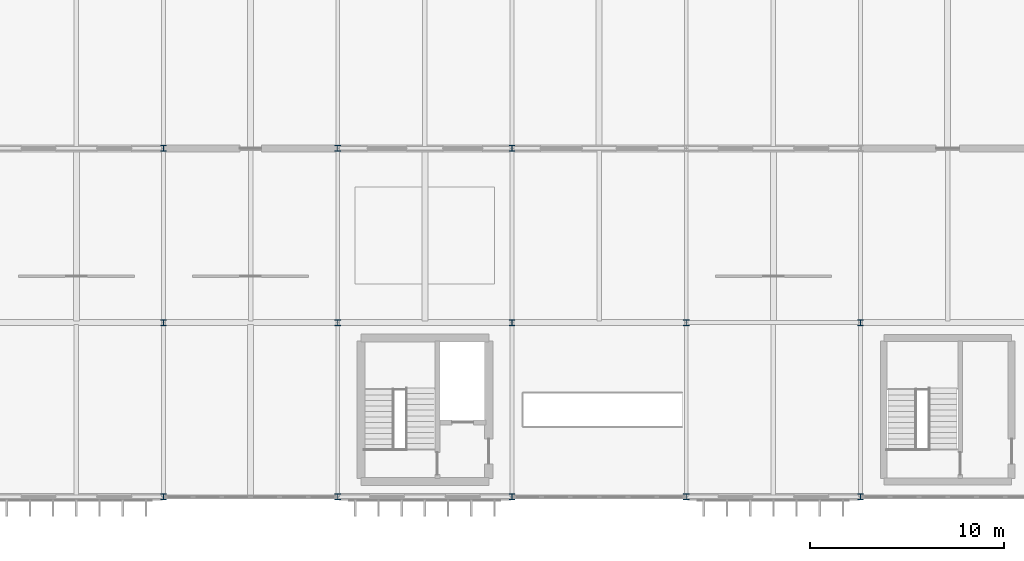
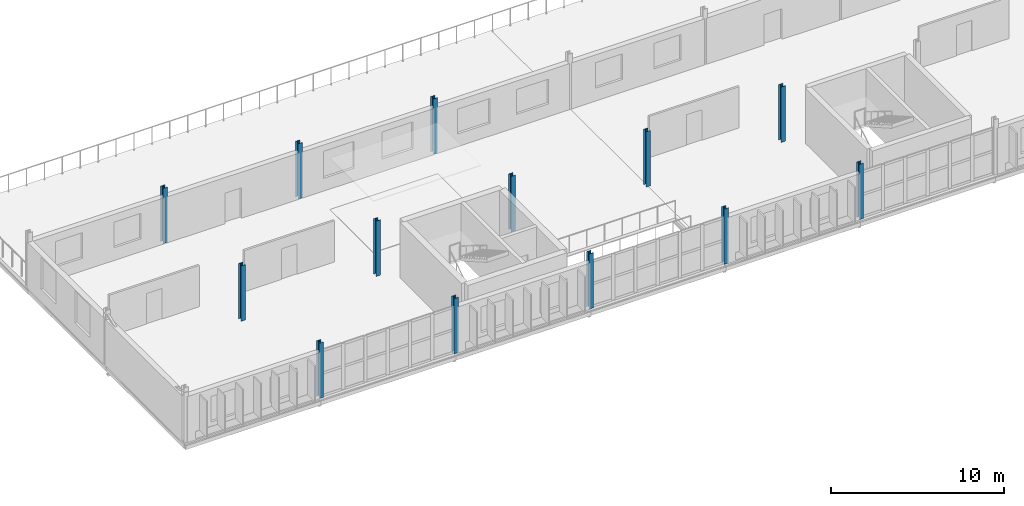
# One storey, part 15 of 123: 13 columns.
"""IFC4 building model written with IfcOpenShell, lengths in metres."""

from ifc_helpers import new_model, si_unit, direction, frame, origin, origin_2d, place, context, subcontext, project, spatial, i_section, extrude, material, material_profile, profile_set, type_object, element, save


model = new_model("IFC4")

# Units and contexts
model_context = context("Model", 3, precision=1e-05, world=origin(), true_north=direction((0.0, 1.0)))
body_context = subcontext(model_context, "Body", "Model", "MODEL_VIEW")
ifc_project = project(units=[si_unit("LENGTHUNIT", "METRE"), si_unit("AREAUNIT", "SQUARE_METRE"), si_unit("VOLUMEUNIT", "CUBIC_METRE"), si_unit("PLANEANGLEUNIT", "RADIAN"), si_unit("MASSUNIT", "GRAM", prefix="KILO")], contexts=[model_context])

# Site, building, storey
site_placement = place(None, origin())
site = spatial("IfcSite", under=ifc_project, at=site_placement, CompositionType="ELEMENT")
building_placement = place(site_placement, origin())
building = spatial("IfcBuilding", under=site, at=building_placement, Name="Kildeholm Park Wholesale Market", CompositionType="ELEMENT")
storey_placement = place(building_placement, frame((0.0, 0.0, 9.60009765625)))
storey = spatial("IfcBuildingStorey", under=building, at=storey_placement, Name="L02", CompositionType="ELEMENT", Elevation=9.60009765625)

# Columns
ifc_material = material(Name="Steel S355", Category="steel")
ifc_material_profile = material_profile(ifc_material, i_section(OverallWidth=0.300048828125, OverallDepth=0.300048828125, WebThickness=0.010986328125, FlangeThickness=0.01904296875, FilletRadius=0.027099609375, at=origin_2d()), Name="HEB 300")
ifc_profile_set = profile_set([ifc_material_profile], Name="Steel S355")
column_type = type_object("IfcColumnType", Name="Column C-S03 HEB 300", PredefinedType="COLUMN", material=ifc_profile_set)
for number, where, z_axis, x_axis, name in (
    (1, (135.0, 0.0, 0.0), (0.0, 0.0, 1.0), (1.0, 0.0, 0.0), "Column V5E-135-000 L02 COL-0773"),
    (2, (135.0, 9.0, 0.0), (0.0, 0.0, 1.0), (1.0, 0.0, 0.0), "Column V5E-135-009 L02 COL-0777"),
    (3, (135.0, 18.0, 0.0), (0.0, 0.0, 1.0), (1.0, 0.0, 0.0), "Column V5E-135-018 L02 COL-0781"),
    (4, (144.0, 0.0, 0.0), (0.0, 0.0, 1.0), (1.0, 0.0, 0.0), "Column V5E-144-000 L02 COL-0787"),
    (5, (144.0, 9.0, 0.0), (0.0, 0.0, 1.0), (1.0, 0.0, 0.0), "Column V5E-144-009 L02 COL-0791"),
    (6, (144.0, 18.0, 0.0), (0.0, 0.0, 1.0), (1.0, 0.0, 0.0), "Column V5E-144-018 L02 COL-0795"),
    (7, (153.0, 0.0, 0.0), (0.0, 0.0, 1.0), (1.0, 0.0, 0.0), "Column V5E-153-000 L02 COL-0801"),
    (8, (153.0, 9.0, 0.0), (0.0, 0.0, 1.0), (1.0, 0.0, 0.0), "Column V5E-153-009 L02 COL-0805"),
    (9, (153.0, 18.0, 0.0), (0.0, 0.0, 1.0), (1.0, 0.0, 0.0), "Column V5E-153-018 L02 COL-0809"),
    (10, (162.0, 0.0, 0.0), (0.0, 0.0, 1.0), (1.0, 0.0, 0.0), "Column V5E-162-000 L02 COL-0815"),
    (11, (162.0, 9.0, 0.0), (0.0, 0.0, 1.0), (1.0, 0.0, 0.0), "Column V5E-162-009 L02 COL-0819"),
    (12, (171.0, 0.0, 0.0), (0.0, 0.0, 1.0), (1.0, 0.0, 0.0), "Column V5E-171-000 L02 COL-0829"),
    (13, (171.0, 9.0, 0.0), (0.0, 0.0, 1.0), (1.0, 0.0, 0.0), "Column V5E-171-009 L02 COL-0833"),
):
    element("IfcColumn", number, at=place(storey_placement, frame(where, z_axis=z_axis, x_axis=x_axis)), inside=storey, type_object=column_type, Name=name, PredefinedType="COLUMN", context=body_context, shape_type="SweptSolid", body=[
        extrude(i_section(OverallWidth=0.300048828125, OverallDepth=0.300048828125, WebThickness=0.010986328125, FlangeThickness=0.01904296875, FilletRadius=0.027099609375, at=origin_2d()), origin(), (0.0, 0.0, 1.0), 3.89990234375),
    ])

save(model, "model.ifc")
